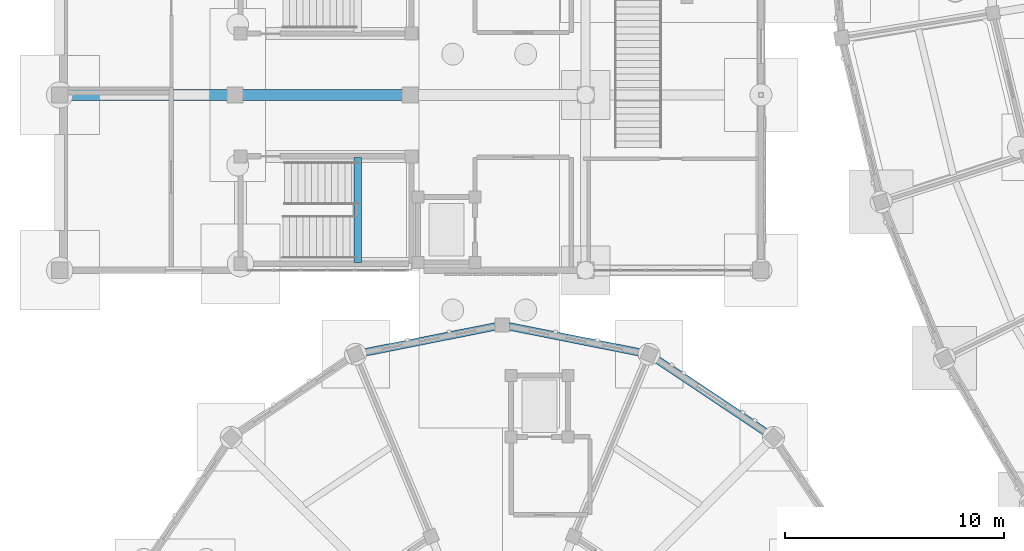
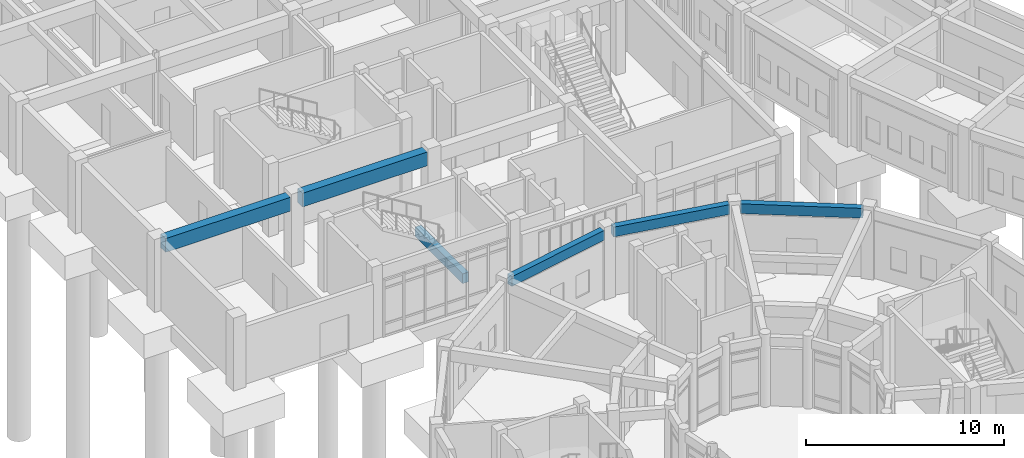
# One storey, part 28 of 153: 6 beams.
"""IFC4 building model written with IfcOpenShell, lengths in metres."""

from ifc_helpers import new_model, si_unit, direction, frame, origin, origin_2d, place, context, subcontext, project, spatial, rectangle, extrude, material, material_profile, profile_set, type_object, element, save


model = new_model("IFC4")

# Units and contexts
model_context = context("Model", 3, precision=1e-05, world=origin(), true_north=direction((0.0, 1.0)))
body_context = subcontext(model_context, "Body", "Model", "MODEL_VIEW")
ifc_project = project(units=[si_unit("LENGTHUNIT", "METRE"), si_unit("AREAUNIT", "SQUARE_METRE"), si_unit("VOLUMEUNIT", "CUBIC_METRE"), si_unit("PLANEANGLEUNIT", "RADIAN"), si_unit("MASSUNIT", "GRAM", prefix="KILO")], contexts=[model_context])

# Site, building, storey
site_placement = place(None, origin())
site = spatial("IfcSite", under=ifc_project, at=site_placement, CompositionType="ELEMENT")
building_placement = place(site_placement, origin())
building = spatial("IfcBuilding", under=site, at=building_placement, Name="Celadon Cloister-Ring School", CompositionType="ELEMENT")
storey_placement = place(building_placement, origin())
storey = spatial("IfcBuildingStorey", under=building, at=storey_placement, Name="L00", CompositionType="ELEMENT", Elevation=0.0)

# Beams
ifc_material_1 = material(Name="Concrete C35/45", Category="concrete")
ifc_material_profile_1 = material_profile(ifc_material_1, rectangle(XDim=0.35009765625, YDim=0.60009765625, at=origin_2d()), Name="RC350X600")
ifc_profile_set_1 = profile_set([ifc_material_profile_1], Name="Concrete C35/45")
beam_type_1 = type_object("IfcBeamType", Name="BT-02", PredefinedType="BEAM", material=ifc_profile_set_1)
beam_1_placement = place(storey_placement, frame((13.60498046875, 40.35009765625, 1.669921875), z_axis=(0.0, 1.0, 0.0), x_axis=(-1.0, 0.0, 0.0)))
element("IfcBeam", 1, at=beam_1_placement, inside=storey, type_object=beam_type_1, Name="Stair Landing Beam 1721", PredefinedType="BEAM", context=body_context, shape_type="SweptSolid", body=[
    extrude(rectangle(XDim=0.35009765625, YDim=0.60009765625, at=origin_2d()), origin(), (0.0, 0.0, 1.0), 4.7998046875),
])
ifc_material_2 = material(Name="Concrete C35/45", Category="concrete")
ifc_material_profile_2 = material_profile(ifc_material_2, rectangle(XDim=0.5, YDim=0.85009765625, at=origin_2d()), Name="RC500X850")
ifc_profile_set_2 = profile_set([ifc_material_profile_2], Name="Concrete C35/45")
beam_type_2 = type_object("IfcBeamType", Name="GT-01", PredefinedType="USERDEFINED", material=ifc_profile_set_2)
for number, where, z_axis, x_axis, name in (
    (2, (0.35009765625, 48.0, 3.81494140625), (1.0, 0.0, 0.0), (0.0, 1.0, 0.0), "Beam 1479"),
    (3, (8.35009765625, 48.0, 3.81494140625), (1.0, 0.0, 0.0), (0.0, 1.0, 0.0), "Beam 1480"),
):
    element("IfcBeam", number, at=place(storey_placement, frame(where, z_axis=z_axis, x_axis=x_axis)), inside=storey, type_object=beam_type_2, Name=name, ObjectType="GIRDER", PredefinedType="USERDEFINED", context=body_context, shape_type="SweptSolid", body=[
        extrude(rectangle(XDim=0.5, YDim=0.85009765625, at=origin_2d()), origin(), (0.0, 0.0, 1.0), 7.2998046875),
    ])
ifc_material_3 = material(Name="Concrete C35/45", Category="concrete")
ifc_material_profile_3 = material_profile(ifc_material_3, rectangle(XDim=0.35009765625, YDim=0.60009765625, at=origin_2d()), Name="RC350X600")
ifc_profile_set_3 = profile_set([ifc_material_profile_3], Name="Concrete C35/45")
beam_type_3 = type_object("IfcBeamType", Name="SP-01", PredefinedType="SPANDREL", material=ifc_profile_set_3)
for number, where, z_axis, x_axis, name in (
    (4, (32.324951171875, 32.541015625, 3.9599609375), (-0.831507154531, 0.555514042993, 0.0), (-0.555514042993, -0.831507154531, 0.0), "Beam 0879"),
    (5, (26.60302734375, 36.22705078125, 3.9599609375), (-0.980825640738, 0.194887307107, 0.0), (-0.194887307107, -0.980825640738, 0.0), "Beam 0883"),
):
    element("IfcBeam", number, at=place(storey_placement, frame(where, z_axis=z_axis, x_axis=x_axis)), inside=storey, type_object=beam_type_3, Name=name, PredefinedType="SPANDREL", context=body_context, shape_type="SweptSolid", body=[
        extrude(rectangle(XDim=0.35009765625, YDim=0.60009765625, at=origin_2d()), origin(), (0.0, 0.0, 1.0), 6.228515625),
    ])
beam_2_placement = place(storey_placement, frame((19.906005859375, 37.44091796875, 3.9599609375), z_axis=(-0.980824151909, -0.194894799908, 0.0), x_axis=(0.194894799908, -0.980824151909, 0.0)))
element("IfcBeam", 6, at=beam_2_placement, inside=storey, type_object=beam_type_3, Name="Beam 0885", PredefinedType="SPANDREL", context=body_context, shape_type="SweptSolid", body=[
    extrude(rectangle(XDim=0.35009765625, YDim=0.60009765625, at=origin_2d()), origin(), (0.0, 0.0, 1.0), 6.228271484375),
])

save(model, "model.ifc")
